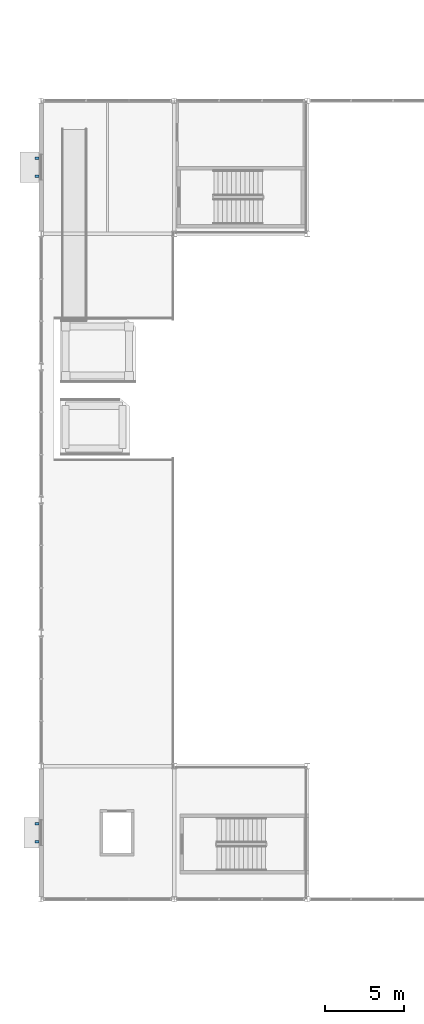
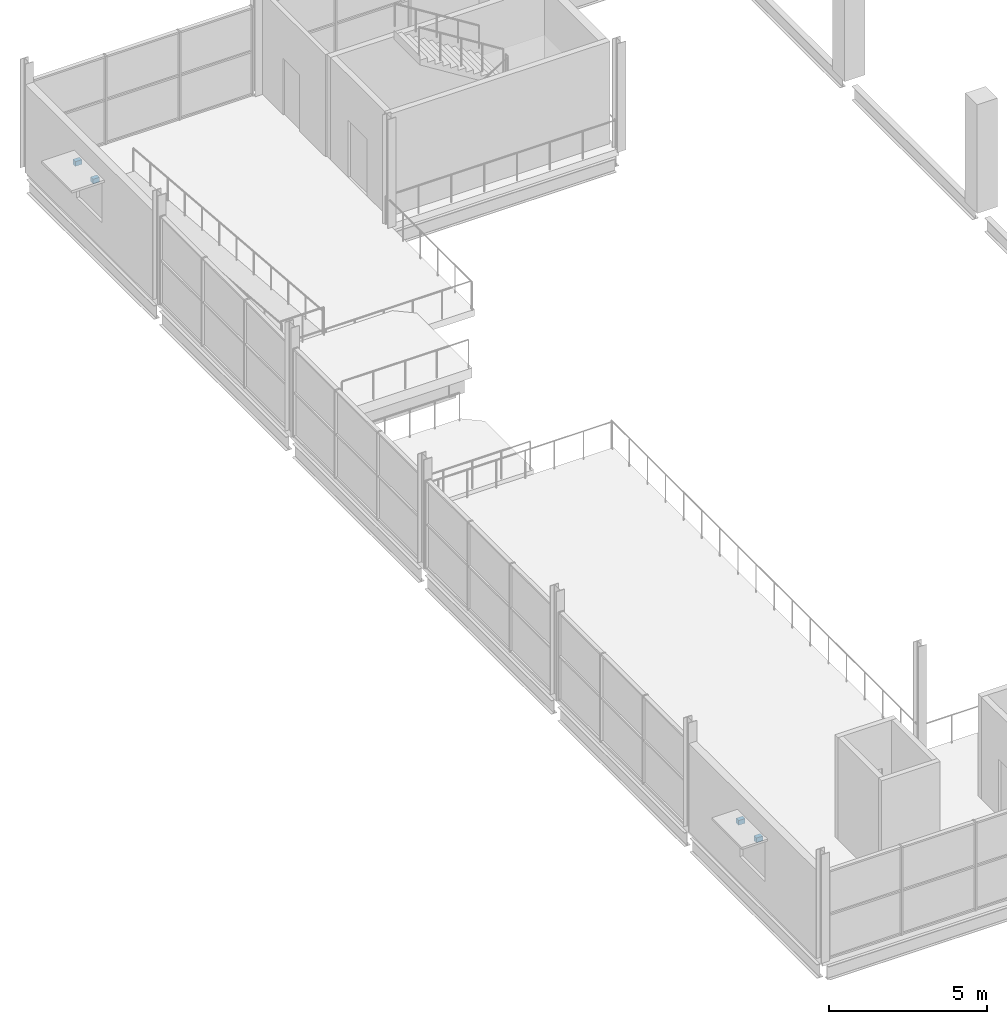
# One storey, part 83 of 93: 4 discrete accessories.
"""IFC4 building model written with IfcOpenShell, lengths in metres."""

from ifc_helpers import new_model, si_unit, direction, frame, origin, origin_2d, place, context, subcontext, project, spatial, rectangle, extrude, material, type_object, element, save


model = new_model("IFC4")

# Units and contexts
model_context = context("Model", 3, precision=1e-05, world=origin(), true_north=direction((0.0, 1.0)))
body_context = subcontext(model_context, "Body", "Model", "MODEL_VIEW")
ifc_project = project(units=[si_unit("LENGTHUNIT", "METRE"), si_unit("AREAUNIT", "SQUARE_METRE"), si_unit("VOLUMEUNIT", "CUBIC_METRE"), si_unit("PLANEANGLEUNIT", "RADIAN"), si_unit("MASSUNIT", "GRAM", prefix="KILO"), si_unit("THERMODYNAMICTEMPERATUREUNIT", "KELVIN")], contexts=[model_context])

# Site, building, storey
site_placement = place(None, origin())
site = spatial("IfcSite", under=ifc_project, at=site_placement, CompositionType="ELEMENT")
building_placement = place(site_placement, origin())
building = spatial("IfcBuilding", under=site, at=building_placement, Name="Nduvali Passage Aquatics Centre", CompositionType="ELEMENT")
storey_placement = place(building_placement, frame((0.0, 0.0, 9.0)))
storey = spatial("IfcBuildingStorey", under=building, at=storey_placement, Name="L02", CompositionType="ELEMENT", Elevation=9.0)

# Discrete accessories
ifc_material = material(Name="Steel S355", Category="steel")
discrete_accessory_type = type_object("IfcDiscreteAccessoryType", Name="ENV-BRK-S355", PredefinedType="BRACKET", material=ifc_material)
for number, where, z_axis, x_axis, name in (
    (1, (-0.25, 38.360107421875, 2.48486328125), (0.0, 0.0, 1.0), (0.0, -1.0, 0.0), "L02 Sunshade Bracket 0075"),
    (2, (-0.25, 37.239990234375, 2.48486328125), (0.0, 0.0, 1.0), (0.0, -1.0, 0.0), "L02 Sunshade Bracket 0076"),
    (3, (-0.25, 80.360107421875, 2.47998046875), (0.0, 0.0, 1.0), (0.0, -1.0, 0.0), "L02 Sunshade Bracket 0077"),
    (4, (-0.25, 79.239990234375, 2.47998046875), (0.0, 0.0, 1.0), (0.0, -1.0, 0.0), "L02 Sunshade Bracket 0078"),
):
    element("IfcDiscreteAccessory", number, at=place(storey_placement, frame(where, z_axis=z_axis, x_axis=x_axis)), inside=storey, type_object=discrete_accessory_type, Name=name, PredefinedType="BRACKET", context=body_context, shape_type="SweptSolid", body=[
        extrude(rectangle(XDim=0.159912109375, YDim=0.239990234375, at=origin_2d()), origin(), (0.0, 0.0, 1.0), 0.179931640625),
    ])

save(model, "model.ifc")
